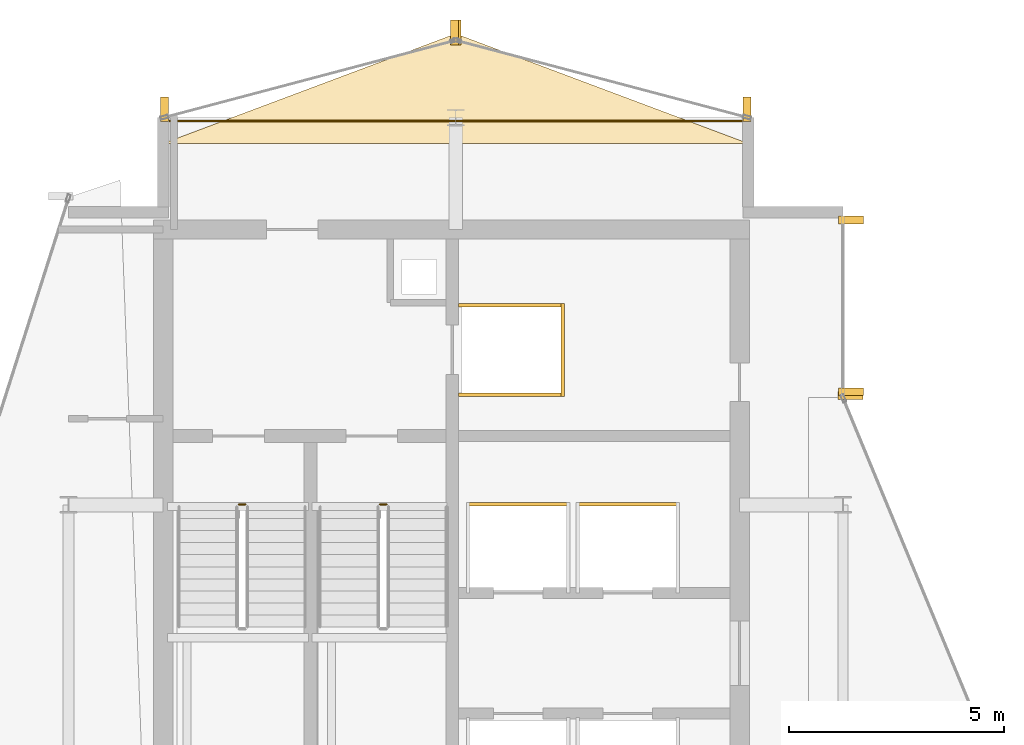
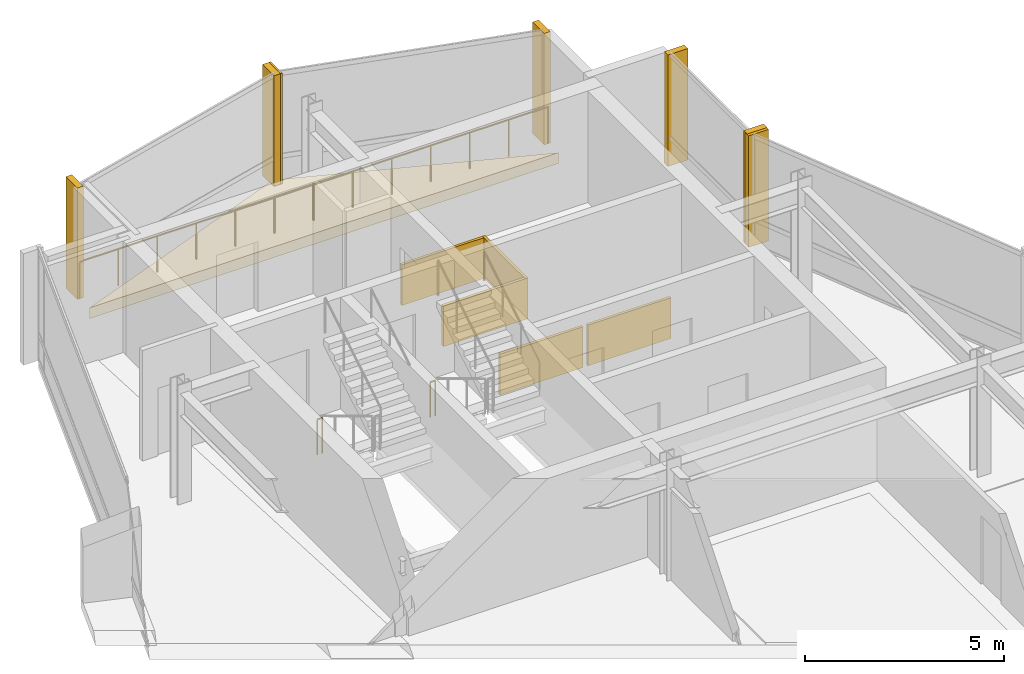
# One storey, part 19 of 19: 13 coverings, 3 railings.
"""IFC4 building model written with IfcOpenShell, lengths in metres."""

from ifc_helpers import new_model, si_unit, direction, frame, origin, origin_2d, place, context, subcontext, project, spatial, polyline, rectangle, circle, outline, extrude, material, layer, layer_set, type_object, element, save


model = new_model("IFC4")

# Units and contexts
model_context = context("Model", 3, precision=1e-05, world=origin(), true_north=direction((0.0, 1.0)))
body_context = subcontext(model_context, "Body", "Model", "MODEL_VIEW")
ifc_project = project(units=[si_unit("LENGTHUNIT", "METRE"), si_unit("AREAUNIT", "SQUARE_METRE"), si_unit("VOLUMEUNIT", "CUBIC_METRE"), si_unit("PLANEANGLEUNIT", "RADIAN"), si_unit("MASSUNIT", "GRAM", prefix="KILO")], contexts=[model_context])

# Site, building, storey
site_placement = place(None, origin())
site = spatial("IfcSite", under=ifc_project, at=site_placement, CompositionType="ELEMENT")
building_placement = place(site_placement, origin())
building = spatial("IfcBuilding", under=site, at=building_placement, Name="Solvaryn Broadcast Tower", CompositionType="ELEMENT")
storey_placement = place(building_placement, frame((0.0, 0.0, 240.800048828125)))
storey = spatial("IfcBuildingStorey", under=building, at=storey_placement, Name="L60", CompositionType="ELEMENT", Elevation=240.800048828125)

# Coverings
ifc_material_1 = material(Name="Fire-Rated Gypsum Shaftwall Liner", Category="concrete")
ifc_layer_1 = layer(ifc_material_1, 0.080078125)
ifc_layer_set_1 = layer_set([ifc_layer_1], Name="CV-SHAFT-LINER")
covering_type_1 = type_object("IfcCoveringType", Name="CV-SHAFT-LINER", PredefinedType="CLADDING", material=ifc_layer_set_1)
for number, where, z_axis, x_axis, name in (
    (1, (19.300048828125, 40.639892578125, 0.0), (0.0, 0.0, 1.0), (1.0, 0.0, 0.0), "L60 FL1 Hoistway Shaft Liner North"),
    (2, (19.300048828125, 38.56005859375, 0.0), (0.0, 0.0, 1.0), (1.0, 0.0, 0.0), "L60 FL1 Hoistway Shaft Liner South"),
):
    element("IfcCovering", number, at=place(storey_placement, frame(where, z_axis=z_axis, x_axis=x_axis)), inside=storey, type_object=covering_type_1, Name=name, PredefinedType="CLADDING", context=body_context, shape_type="SweptSolid", body=[
        extrude(rectangle(XDim=2.4599609375, YDim=0.080078125, at=origin_2d()), origin(), (0.0, 0.0, 1.0), 1.25),
    ])
covering_1_placement = place(storey_placement, frame((20.489990234375, 39.60009765625, 0.0), z_axis=(0.0, 0.0, 1.0), x_axis=(1.0, 0.0, 0.0)))
element("IfcCovering", 3, at=covering_1_placement, inside=storey, type_object=covering_type_1, Name="L60 FL1 Hoistway Shaft Liner East", PredefinedType="CLADDING", context=body_context, shape_type="SweptSolid", body=[
    extrude(rectangle(XDim=0.080078125, YDim=2.159912109375, at=origin_2d()), origin(), (0.0, 0.0, 1.0), 1.25),
])
for number, where, z_axis, x_axis, name in (
    (4, (19.449951171875, 36.014892578125, 0.0), (0.0, 0.0, 1.0), (1.0, 0.0, 0.0), "L60 PH3 Hoistway Shaft Liner North"),
    (5, (22.0, 36.014892578125, 0.0), (0.0, 0.0, 1.0), (1.0, 0.0, 0.0), "L60 PH4 Hoistway Shaft Liner North"),
):
    element("IfcCovering", number, at=place(storey_placement, frame(where, z_axis=z_axis, x_axis=x_axis)), inside=storey, type_object=covering_type_1, Name=name, PredefinedType="CLADDING", context=body_context, shape_type="SweptSolid", body=[
        extrude(rectangle(XDim=2.409912109375, YDim=0.080078125, at=origin_2d()), origin(), (0.0, 0.0, 1.0), 1.25),
    ])
ifc_material_2 = material(Name="Extruded Architectural Terracotta Fin", Category="masonry")
ifc_layer_2 = layer(ifc_material_2, 0.179931640625)
ifc_layer_set_2 = layer_set([ifc_layer_2], Name="CV-TC-FIN")
covering_type_2 = type_object("IfcCoveringType", Name="CV-TC-FIN", PredefinedType="USERDEFINED", material=ifc_layer_set_2)
for number, where, z_axis, x_axis, name in (
    (6, (27.1875, 42.6201171875, 0.0), (0.0, 0.0, 1.0), (1.0, 0.0, 0.0), "L60 Terracotta Vertical Fin FIN-L60-IV-M00"),
    (7, (27.1875, 38.6298828125, 0.0), (0.0, 0.0, 1.0), (1.0, 0.0, 0.0), "L60 Terracotta Vertical Fin FIN-L60-IV-M01"),
    (8, (27.177978515625, 38.541259765625, 0.0), (0.0, 0.0, 1.0), (1.0, 0.0, 0.0), "L60 Terracotta Vertical Fin FIN-L60-CN2-M01"),
):
    element("IfcCovering", number, at=place(storey_placement, frame(where, z_axis=z_axis, x_axis=x_axis)), inside=storey, type_object=covering_type_2, Name=name, ObjectType="FIN", PredefinedType="USERDEFINED", context=body_context, shape_type="SweptSolid", body=[
        extrude(rectangle(XDim=0.580078125, YDim=0.179931640625, at=origin_2d()), origin(), (0.0, 0.0, 1.0), 3.419921875),
    ])
for number, where, z_axis, x_axis, name in (
    (9, (24.77099609375, 45.1953125, 0.0), (0.0, 0.0, 1.0), (1.0, 0.0, 0.0), "L60 Terracotta Vertical Fin FIN-L60-NT1-M00"),
    (10, (18.029052734375, 46.979736328125, 0.0), (0.0, 0.0, 1.0), (1.0, 0.0, 0.0), "L60 Terracotta Vertical Fin FIN-L60-NT1-M01"),
    (11, (17.970947265625, 46.979736328125, 0.0), (0.0, 0.0, 1.0), (1.0, 0.0, 0.0), "L60 Terracotta Vertical Fin FIN-L60-NT2-M00"),
    (12, (11.22900390625, 45.1953125, 0.0), (0.0, 0.0, 1.0), (1.0, 0.0, 0.0), "L60 Terracotta Vertical Fin FIN-L60-NT2-M01"),
):
    element("IfcCovering", number, at=place(storey_placement, frame(where, z_axis=z_axis, x_axis=x_axis)), inside=storey, type_object=covering_type_2, Name=name, ObjectType="FIN", PredefinedType="USERDEFINED", context=body_context, shape_type="SweptSolid", body=[
        extrude(rectangle(XDim=0.179931640625, YDim=0.580078125, at=origin_2d()), origin(), (0.0, 0.0, 1.0), 3.419921875),
    ])
ifc_material_3 = material(Name="Sculpted Architectural Terracotta Wave Fascia", Category="masonry")
ifc_layer_3 = layer(ifc_material_3, 0.340087890625)
ifc_layer_set_3 = layer_set([ifc_layer_3], Name="CV-WAVE-TRAY")
covering_type_3 = type_object("IfcCoveringType", Name="CV-WAVE-TRAY", PredefinedType="CLADDING", material=ifc_layer_set_3)
covering_2_placement = place(storey_placement, frame((0.0, 0.0, -0.300048828125)))
element("IfcCovering", 13, at=covering_2_placement, inside=storey, type_object=covering_type_3, Name="L60 North Curved Wing Deck", PredefinedType="CLADDING", context=body_context, shape_type="SweptSolid", body=[
    extrude(outline(polyline([(11.199951171875, 44.39990234375), (24.800048828125, 44.39990234375), (18.0, 46.949951171875), (11.199951171875, 44.39990234375)])), origin(), (0.0, 0.0, 1.0), 0.330078125),
])

# Railings
ifc_material_4 = material(Name="Painted Steel Stair Well Guard", Category="steel")
railing_type_1 = type_object("IfcRailingType", Name="RL-STAIR-GUARD", PredefinedType="BALUSTRADE", material=ifc_material_4)
railing_1_placement = place(storey_placement, frame((12.9599609375, 36.010009765625, 0.0)))
element("IfcRailing", 14, at=railing_1_placement, inside=storey, type_object=railing_type_1, Name="L60 ST1 stair guard 4", PredefinedType="BALUSTRADE", context=body_context, shape_type="SweptSolid", body=[
    extrude(circle(Radius=0.02392578125, at=origin_2d()), frame((0.0, 0.0, 1.076171875), z_axis=(1.0, 0.0, 0.0), x_axis=(0.0, 1.0, 0.0)), (0.0, 0.0, 1.0), 0.150146484375),
    extrude(circle(Radius=0.02099609375, at=origin_2d()), origin(), (0.0, 0.0, 1.0), 1.052001953125),
    extrude(circle(Radius=0.02099609375, at=origin_2d()), frame((0.150146484375, 0.0, 0.0)), (0.0, 0.0, 1.0), 1.052001953125),
])
railing_2_placement = place(storey_placement, frame((16.239990234375, 36.010009765625, 0.0)))
element("IfcRailing", 15, at=railing_2_placement, inside=storey, type_object=railing_type_1, Name="L60 ST2 stair guard 4", PredefinedType="BALUSTRADE", context=body_context, shape_type="SweptSolid", body=[
    extrude(circle(Radius=0.02392578125, at=origin_2d()), frame((0.0, 0.0, 1.076171875), z_axis=(1.0, 0.0, 0.0), x_axis=(0.0, 1.0, 0.0)), (0.0, 0.0, 1.0), 0.14990234375),
    extrude(circle(Radius=0.02099609375, at=origin_2d()), origin(), (0.0, 0.0, 1.0), 1.052001953125),
    extrude(circle(Radius=0.02099609375, at=origin_2d()), frame((0.14990234375, 0.0, 0.0)), (0.0, 0.0, 1.0), 1.052001953125),
])
ifc_material_5 = material(Name="Stainless Steel and Laminated Glass Guard", Category="steel")
railing_type_2 = type_object("IfcRailingType", Name="RL-TER-1150", PredefinedType="BALUSTRADE", material=ifc_material_5)
railing_3_placement = place(storey_placement, frame((11.199951171875, 44.919921875, 0.0)))
element("IfcRailing", 16, at=railing_3_placement, inside=storey, type_object=railing_type_2, Name="L60 North Wing Spandrel Edge Guard", PredefinedType="BALUSTRADE", context=body_context, shape_type="SweptSolid", body=[
    extrude(circle(Radius=0.02392578125, at=origin_2d()), frame((0.0, 0.0, 1.1259765625), z_axis=(1.0, 0.0, 0.0), x_axis=(0.0, 1.0, 0.0)), (0.0, 0.0, 1.0), 13.60009765625),
    extrude(circle(Radius=0.02099609375, at=origin_2d()), origin(), (0.0, 0.0, 1.0), 1.101806640625),
    extrude(circle(Radius=0.02099609375, at=origin_2d()), frame((1.13330078125, 0.0, 0.0)), (0.0, 0.0, 1.0), 1.101806640625),
    extrude(circle(Radius=0.02099609375, at=origin_2d()), frame((2.2666015625, 0.0, 0.0)), (0.0, 0.0, 1.0), 1.101806640625),
    extrude(circle(Radius=0.02099609375, at=origin_2d()), frame((3.39990234375, 0.0, 0.0)), (0.0, 0.0, 1.0), 1.101806640625),
    extrude(circle(Radius=0.02099609375, at=origin_2d()), frame((4.533447265625, 0.0, 0.0)), (0.0, 0.0, 1.0), 1.101806640625),
    extrude(circle(Radius=0.02099609375, at=origin_2d()), frame((5.666748046875, 0.0, 0.0)), (0.0, 0.0, 1.0), 1.101806640625),
    extrude(circle(Radius=0.02099609375, at=origin_2d()), frame((6.800048828125, 0.0, 0.0)), (0.0, 0.0, 1.0), 1.101806640625),
    extrude(circle(Radius=0.02099609375, at=origin_2d()), frame((7.933349609375, 0.0, 0.0)), (0.0, 0.0, 1.0), 1.101806640625),
    extrude(circle(Radius=0.02099609375, at=origin_2d()), frame((9.066650390625, 0.0, 0.0)), (0.0, 0.0, 1.0), 1.101806640625),
    extrude(circle(Radius=0.02099609375, at=origin_2d()), frame((10.2001953125, 0.0, 0.0)), (0.0, 0.0, 1.0), 1.101806640625),
    extrude(circle(Radius=0.02099609375, at=origin_2d()), frame((11.33349609375, 0.0, 0.0)), (0.0, 0.0, 1.0), 1.101806640625),
    extrude(circle(Radius=0.02099609375, at=origin_2d()), frame((12.466796875, 0.0, 0.0)), (0.0, 0.0, 1.0), 1.101806640625),
    extrude(circle(Radius=0.02099609375, at=origin_2d()), frame((13.60009765625, 0.0, 0.0)), (0.0, 0.0, 1.0), 1.101806640625),
])

save(model, "model.ifc")
